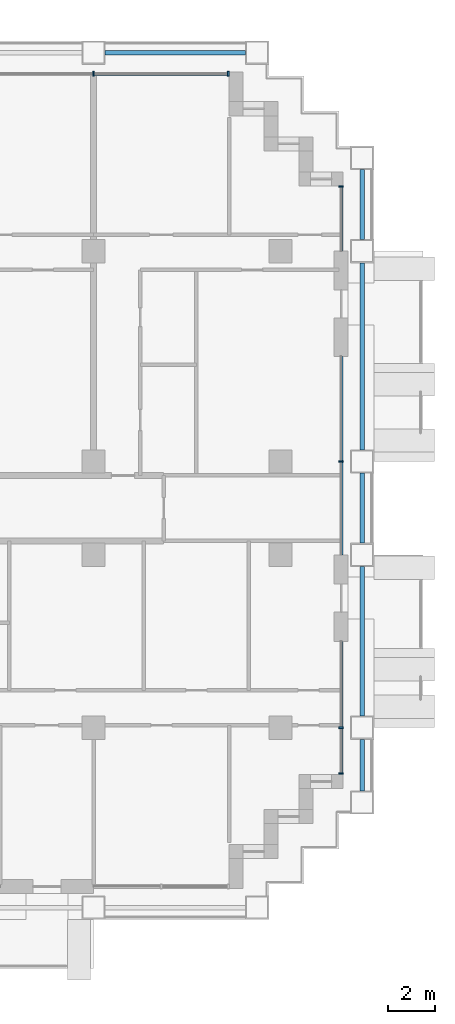
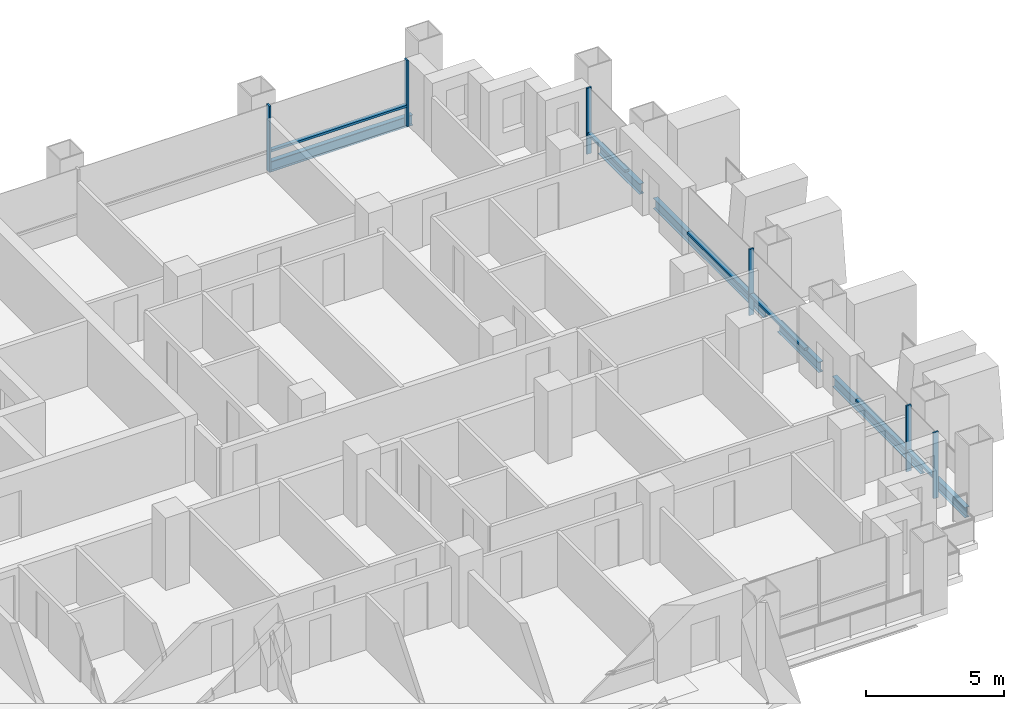
# One storey, part 6 of 18: 12 members, 6 beams, 4 elements without a shape of their own.
"""IFC4 building model written with IfcOpenShell, lengths in metres."""

from ifc_helpers import new_model, si_unit, direction, frame, origin, origin_2d, place, context, subcontext, project, spatial, rectangle, i_section, extrude, material, material_profile, profile_set, type_object, element, aggregate, save


model = new_model("IFC4")

# Units and contexts
model_context = context("Model", 3, precision=1e-05, world=origin(), true_north=direction((0.0, 1.0)))
body_context = subcontext(model_context, "Body", "Model", "MODEL_VIEW")
ifc_project = project(units=[si_unit("LENGTHUNIT", "METRE"), si_unit("AREAUNIT", "SQUARE_METRE"), si_unit("VOLUMEUNIT", "CUBIC_METRE"), si_unit("PLANEANGLEUNIT", "RADIAN"), si_unit("MASSUNIT", "GRAM", prefix="KILO")], contexts=[model_context])

# Site, building, storey
site_placement = place(None, origin())
site = spatial("IfcSite", under=ifc_project, at=site_placement, CompositionType="ELEMENT")
building_placement = place(site_placement, origin())
building = spatial("IfcBuilding", under=site, at=building_placement, Name="Vidyagriha Tower", CompositionType="ELEMENT")
storey_placement = place(building_placement, frame((0.0, 0.0, 41.60009765625)))
storey = spatial("IfcBuildingStorey", under=building, at=storey_placement, Name="L10", CompositionType="ELEMENT", Elevation=41.60009765625)

# Beams
ifc_material_1 = material(Name="Steel ASTM A992 Grade 50", Category="steel")
ifc_material_profile_1 = material_profile(ifc_material_1, i_section(OverallWidth=0.19189453125, OverallDepth=0.46240234375, WebThickness=0.010498046875, FlangeThickness=0.017578125, at=origin_2d()), Name="W18X60")
ifc_profile_set_1 = profile_set([ifc_material_profile_1], Name="Steel ASTM A992 Grade 50")
beam_type = type_object("IfcBeamType", Name="Edge beam W18X60", PredefinedType="SPANDREL", material=ifc_profile_set_1)
beam_1_placement = place(storey_placement, frame((37.5, -12.10009765625, -0.51123046875), z_axis=(0.0, 1.0, 0.0), x_axis=(-1.0, 0.0, 0.0)))
element("IfcBeam", 1, at=beam_1_placement, inside=storey, type_object=beam_type, Name="st-beam-L10-E15", PredefinedType="SPANDREL", context=body_context, shape_type="SweptSolid", body=[
    extrude(i_section(OverallWidth=0.19189453125, OverallDepth=0.46240234375, WebThickness=0.010498046875, FlangeThickness=0.017578125, at=origin_2d()), origin(), (0.0, 0.0, 1.0), 2.2001953125),
])
beam_2_placement = place(storey_placement, frame((37.5, -8.89990234375, -0.51123046875), z_axis=(0.0, 1.0, 0.0), x_axis=(-1.0, 0.0, 0.0)))
element("IfcBeam", 2, at=beam_2_placement, inside=storey, type_object=beam_type, Name="st-beam-L10-E16", PredefinedType="SPANDREL", context=body_context, shape_type="SweptSolid", body=[
    extrude(i_section(OverallWidth=0.19189453125, OverallDepth=0.46240234375, WebThickness=0.010498046875, FlangeThickness=0.017578125, at=origin_2d()), origin(), (0.0, 0.0, 1.0), 6.39990234375),
])
beam_3_placement = place(storey_placement, frame((37.5, -1.5, -0.51123046875), z_axis=(0.0, 1.0, 0.0), x_axis=(-1.0, 0.0, 0.0)))
element("IfcBeam", 3, at=beam_3_placement, inside=storey, type_object=beam_type, Name="st-beam-L10-E17", PredefinedType="SPANDREL", context=body_context, shape_type="SweptSolid", body=[
    extrude(i_section(OverallWidth=0.19189453125, OverallDepth=0.46240234375, WebThickness=0.010498046875, FlangeThickness=0.017578125, at=origin_2d()), origin(), (0.0, 0.0, 1.0), 3.0),
])
beam_4_placement = place(storey_placement, frame((37.5, 2.5, -0.51123046875), z_axis=(0.0, 1.0, 0.0), x_axis=(-1.0, 0.0, 0.0)))
element("IfcBeam", 4, at=beam_4_placement, inside=storey, type_object=beam_type, Name="st-beam-L10-E18", PredefinedType="SPANDREL", context=body_context, shape_type="SweptSolid", body=[
    extrude(i_section(OverallWidth=0.19189453125, OverallDepth=0.46240234375, WebThickness=0.010498046875, FlangeThickness=0.017578125, at=origin_2d()), origin(), (0.0, 0.0, 1.0), 8.0),
])
beam_5_placement = place(storey_placement, frame((37.5, 11.5, -0.51123046875), z_axis=(0.0, 1.0, 0.0), x_axis=(-1.0, 0.0, 0.0)))
element("IfcBeam", 5, at=beam_5_placement, inside=storey, type_object=beam_type, Name="st-beam-L10-E19", PredefinedType="SPANDREL", context=body_context, shape_type="SweptSolid", body=[
    extrude(i_section(OverallWidth=0.19189453125, OverallDepth=0.46240234375, WebThickness=0.010498046875, FlangeThickness=0.017578125, at=origin_2d()), origin(), (0.0, 0.0, 1.0), 3.0),
])
beam_6_placement = place(storey_placement, frame((26.5, 19.5, -0.51123046875), z_axis=(1.0, 0.0, 0.0), x_axis=(0.0, 1.0, 0.0)))
element("IfcBeam", 6, at=beam_6_placement, inside=storey, type_object=beam_type, Name="st-beam-L10-NE23", PredefinedType="SPANDREL", context=body_context, shape_type="SweptSolid", body=[
    extrude(i_section(OverallWidth=0.19189453125, OverallDepth=0.46240234375, WebThickness=0.010498046875, FlangeThickness=0.017578125, at=origin_2d()), origin(), (0.0, 0.0, 1.0), 6.0),
])

# Curtain wall, members
ifc_material_2 = material(Name="Aluminium and glass curtain wall", Category="aluminium")
curtain_wall_type = type_object("IfcCurtainWallType", Name="Dwelling skin unitised curtain wall", PredefinedType="USERDEFINED", material=ifc_material_2)
curtain_wall_1_placement = place(storey_placement, origin())
curtain_wall_1 = element("IfcCurtainWall", 7, at=curtain_wall_1_placement, inside=storey, type_object=curtain_wall_type, Name="CW1 dwelling skin", ObjectType="UNITISED", PredefinedType="USERDEFINED")
ifc_material_3 = material(Name="Aluminium black anodised", Category="aluminium")
ifc_material_profile_2 = material_profile(ifc_material_3, rectangle(XDim=0.199951171875, YDim=0.070068359375, at=origin_2d()), Name="Mullion 70x200 black aluminium")
ifc_profile_set_2 = profile_set([ifc_material_profile_2], Name="Aluminium black anodised")
member_type_1 = type_object("IfcMemberType", Name="Mullion 70x200 black aluminium", PredefinedType="MULLION", material=ifc_profile_set_2)
member_1_placement = place(storey_placement, frame((31.764892578125, 18.60009765625, 0.0), z_axis=(0.0, 0.0, 1.0), x_axis=(0.0, -1.0, 0.0)))
member_1 = element("IfcMember", 8, at=member_1_placement, type_object=member_type_1, Name="CW1 mullion 1", PredefinedType="MULLION", context=body_context, shape_type="SweptSolid", body=[
    extrude(rectangle(XDim=0.199951171875, YDim=0.070068359375, at=origin_2d()), origin(), (0.0, 0.0, 1.0), 2.919921875),
])
member_2_placement = place(storey_placement, frame((26.0, 18.60009765625, 0.0), z_axis=(0.0, 0.0, 1.0), x_axis=(0.0, -1.0, 0.0)))
member_2 = element("IfcMember", 9, at=member_2_placement, type_object=member_type_1, Name="CW1 mullion 2", PredefinedType="MULLION", context=body_context, shape_type="SweptSolid", body=[
    extrude(rectangle(XDim=0.199951171875, YDim=0.070068359375, at=origin_2d()), origin(), (0.0, 0.0, 1.0), 2.919921875),
])

curtain_wall_2_placement = place(storey_placement, origin())
curtain_wall_2 = element("IfcCurtainWall", 10, at=curtain_wall_2_placement, inside=storey, type_object=curtain_wall_type, Name="CW1 dwelling skin", ObjectType="UNITISED", PredefinedType="USERDEFINED")
member_3_placement = place(storey_placement, frame((36.60009765625, -11.364990234375, 0.0), z_axis=(0.0, 0.0, 1.0), x_axis=(-1.0, 0.0, 0.0)))
member_3 = element("IfcMember", 11, at=member_3_placement, type_object=member_type_1, Name="CW1 mullion 1", PredefinedType="MULLION", context=body_context, shape_type="SweptSolid", body=[
    extrude(rectangle(XDim=0.199951171875, YDim=0.070068359375, at=origin_2d()), origin(), (0.0, 0.0, 1.0), 2.919921875),
])
member_4_placement = place(storey_placement, frame((36.60009765625, -9.39990234375, 0.0), z_axis=(0.0, 0.0, 1.0), x_axis=(-1.0, 0.0, 0.0)))
member_4 = element("IfcMember", 12, at=member_4_placement, type_object=member_type_1, Name="CW1 mullion 2", PredefinedType="MULLION", context=body_context, shape_type="SweptSolid", body=[
    extrude(rectangle(XDim=0.199951171875, YDim=0.070068359375, at=origin_2d()), origin(), (0.0, 0.0, 1.0), 2.919921875),
])

# Curtain wall, member
curtain_wall_3_placement = place(storey_placement, origin())
curtain_wall_3 = element("IfcCurtainWall", 13, at=curtain_wall_3_placement, inside=storey, type_object=curtain_wall_type, Name="CW1 dwelling skin", ObjectType="UNITISED", PredefinedType="USERDEFINED")
member_5_placement = place(storey_placement, frame((36.60009765625, 2.0, 0.0), z_axis=(0.0, 0.0, 1.0), x_axis=(-1.0, 0.0, 0.0)))
member_5 = element("IfcMember", 14, at=member_5_placement, type_object=member_type_1, Name="CW1 mullion 2", PredefinedType="MULLION", context=body_context, shape_type="SweptSolid", body=[
    extrude(rectangle(XDim=0.199951171875, YDim=0.070068359375, at=origin_2d()), origin(), (0.0, 0.0, 1.0), 2.919921875),
])

curtain_wall_4_placement = place(storey_placement, origin())
curtain_wall_4 = element("IfcCurtainWall", 15, at=curtain_wall_4_placement, inside=storey, type_object=curtain_wall_type, Name="CW1 dwelling skin", ObjectType="UNITISED", PredefinedType="USERDEFINED")
member_6_placement = place(storey_placement, frame((36.60009765625, 13.764892578125, 0.0), z_axis=(0.0, 0.0, 1.0), x_axis=(-1.0, 0.0, 0.0)))
member_6 = element("IfcMember", 16, at=member_6_placement, type_object=member_type_1, Name="CW1 mullion 2", PredefinedType="MULLION", context=body_context, shape_type="SweptSolid", body=[
    extrude(rectangle(XDim=0.199951171875, YDim=0.070068359375, at=origin_2d()), origin(), (0.0, 0.0, 1.0), 2.919921875),
])

# Member
ifc_material_4 = material(Name="Aluminium black anodised", Category="aluminium")
ifc_material_profile_3 = material_profile(ifc_material_4, rectangle(XDim=0.159912109375, YDim=0.10009765625, at=origin_2d()), Name="Transom 100x160 black aluminium")
ifc_profile_set_3 = profile_set([ifc_material_profile_3], Name="Aluminium black anodised")
member_type_2 = type_object("IfcMemberType", Name="Transom 100x160 black aluminium", PredefinedType="USERDEFINED", material=ifc_profile_set_3)
member_7_placement = place(storey_placement, frame((31.72998046875, 18.60009765625, 0.89990234375), z_axis=(-1.0, 0.0, 0.0), x_axis=(0.0, -1.0, 0.0)))
member_7 = element("IfcMember", 17, at=member_7_placement, type_object=member_type_2, Name="CW1 transom 1.1", ObjectType="TRANSOM", PredefinedType="USERDEFINED", context=body_context, shape_type="SweptSolid", body=[
    extrude(rectangle(XDim=0.159912109375, YDim=0.10009765625, at=origin_2d()), origin(), (0.0, 0.0, 1.0), 5.695068359375),
])

aggregate(curtain_wall_1, [member_1, member_2, member_7])

member_8_placement = place(storey_placement, frame((36.60009765625, -11.330078125, 0.89990234375), z_axis=(0.0, 1.0, 0.0), x_axis=(-1.0, 0.0, 0.0)))
member_8 = element("IfcMember", 18, at=member_8_placement, type_object=member_type_2, Name="CW1 transom 1.1", ObjectType="TRANSOM", PredefinedType="USERDEFINED", context=body_context, shape_type="SweptSolid", body=[
    extrude(rectangle(XDim=0.159912109375, YDim=0.10009765625, at=origin_2d()), origin(), (0.0, 0.0, 1.0), 1.89501953125),
])

member_9_placement = place(storey_placement, frame((36.60009765625, -9.364990234375, 0.89990234375), z_axis=(0.0, 1.0, 0.0), x_axis=(-1.0, 0.0, 0.0)))
member_9 = element("IfcMember", 19, at=member_9_placement, type_object=member_type_2, Name="CW1 transom 2.1", ObjectType="TRANSOM", PredefinedType="USERDEFINED", context=body_context, shape_type="SweptSolid", body=[
    extrude(rectangle(XDim=0.159912109375, YDim=0.10009765625, at=origin_2d()), origin(), (0.0, 0.0, 1.0), 3.6650390625),
])

aggregate(curtain_wall_2, [member_3, member_4, member_8, member_9])

member_10_placement = place(storey_placement, frame((36.60009765625, -2.0, 0.89990234375), z_axis=(0.0, 1.0, 0.0), x_axis=(-1.0, 0.0, 0.0)))
member_10 = element("IfcMember", 20, at=member_10_placement, type_object=member_type_2, Name="CW1 transom 1.1", ObjectType="TRANSOM", PredefinedType="USERDEFINED", context=body_context, shape_type="SweptSolid", body=[
    extrude(rectangle(XDim=0.159912109375, YDim=0.10009765625, at=origin_2d()), origin(), (0.0, 0.0, 1.0), 3.965087890625),
])

member_11_placement = place(storey_placement, frame((36.60009765625, 2.034912109375, 0.89990234375), z_axis=(0.0, 1.0, 0.0), x_axis=(-1.0, 0.0, 0.0)))
member_11 = element("IfcMember", 21, at=member_11_placement, type_object=member_type_2, Name="CW1 transom 2.1", ObjectType="TRANSOM", PredefinedType="USERDEFINED", context=body_context, shape_type="SweptSolid", body=[
    extrude(rectangle(XDim=0.159912109375, YDim=0.10009765625, at=origin_2d()), origin(), (0.0, 0.0, 1.0), 4.465087890625),
])

aggregate(curtain_wall_3, [member_5, member_10, member_11])

member_12_placement = place(storey_placement, frame((36.60009765625, 11.0, 0.89990234375), z_axis=(0.0, 1.0, 0.0), x_axis=(-1.0, 0.0, 0.0)))
member_12 = element("IfcMember", 22, at=member_12_placement, type_object=member_type_2, Name="CW1 transom 1.1", ObjectType="TRANSOM", PredefinedType="USERDEFINED", context=body_context, shape_type="SweptSolid", body=[
    extrude(rectangle(XDim=0.159912109375, YDim=0.10009765625, at=origin_2d()), origin(), (0.0, 0.0, 1.0), 2.72998046875),
])

aggregate(curtain_wall_4, [member_6, member_12])

save(model, "model.ifc")
